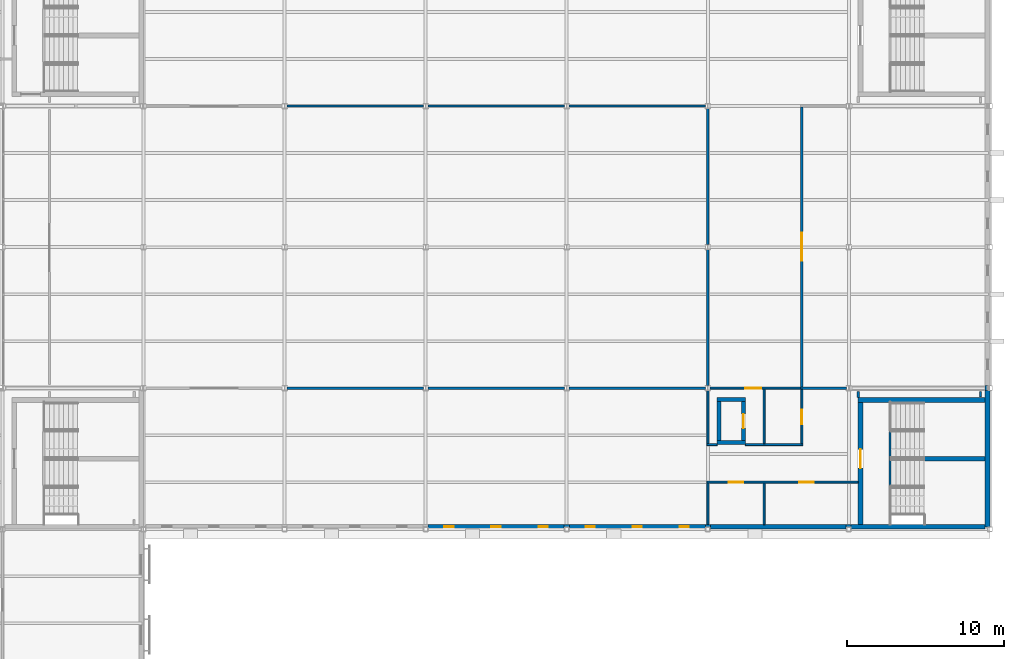
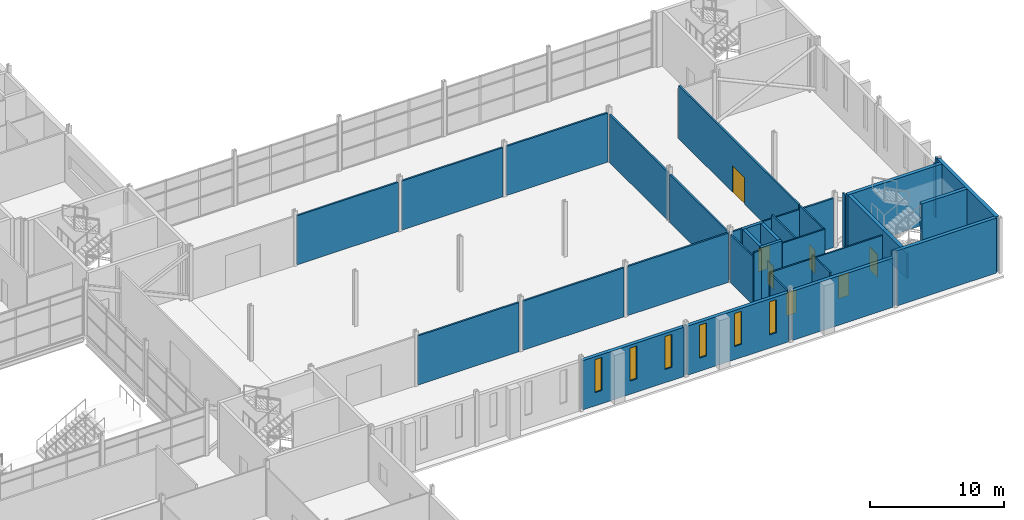
# One storey, part 88 of 112: 38 walls, 7 doors, 6 windows, 13 openings.
"""IFC4 building model written with IfcOpenShell, lengths in metres."""

from ifc_helpers import new_model, si_unit, direction, frame, frame_2d, origin, place, context, subcontext, project, spatial, rectangle, extrude, material, layer, layer_set, type_object, element, fill, save


model = new_model("IFC4")

# Units and contexts
model_context = context("Model", 3, precision=1e-05, world=origin(), true_north=direction((0.0, 1.0)))
body_context = subcontext(model_context, "Body", "Model", "MODEL_VIEW")
ifc_project = project(units=[si_unit("LENGTHUNIT", "METRE"), si_unit("AREAUNIT", "SQUARE_METRE"), si_unit("VOLUMEUNIT", "CUBIC_METRE"), si_unit("PLANEANGLEUNIT", "RADIAN"), si_unit("MASSUNIT", "GRAM", prefix="KILO")], contexts=[model_context])

# Site, building, storey
site_placement = place(None, origin())
site = spatial("IfcSite", under=ifc_project, at=site_placement, CompositionType="ELEMENT")
building_placement = place(site_placement, origin())
building = spatial("IfcBuilding", under=site, at=building_placement, Name="Shorebreak Coast Museum", CompositionType="ELEMENT")
storey_placement = place(building_placement, frame((0.0, 0.0, 6.0)))
storey = spatial("IfcBuildingStorey", under=building, at=storey_placement, Name="L01", CompositionType="ELEMENT", Elevation=6.0)

# Walls
ifc_material_1 = material(Name="Concrete N50 (50 MPa)", Category="concrete")
ifc_layer_1 = layer(ifc_material_1, 0.14990234375)
ifc_layer_set_1 = layer_set([ifc_layer_1], Name="Concrete N50 (50 MPa)")
wall_type_1 = type_object("IfcWallType", Name="Column closure panel 150", PredefinedType="SOLIDWALL", material=ifc_layer_set_1)
for number, where, z_axis, x_axis, name in (
    (1, (143.839111328125, 54.22509765625, 0.0), (0.0, 0.0, 1.0), (1.0, 0.0, 0.0), "Column closure panel L01 S 17G"),
    (2, (152.839111328125, 54.22509765625, 0.0), (0.0, 0.0, 1.0), (1.0, 0.0, 0.0), "Column closure panel L01 S 18G"),
):
    element("IfcWall", number, at=place(storey_placement, frame(where, z_axis=z_axis, x_axis=x_axis)), inside=storey, type_object=wall_type_1, Name=name, PredefinedType="SOLIDWALL", context=body_context, shape_type="SweptSolid", body=[
        extrude(rectangle(XDim=0.32177734375, YDim=0.14990234375, at=frame_2d((0.160888671875, 0.0))), origin(), (0.0, 0.0, 1.0), 4.469482421875),
    ])
for number, where, z_axis, x_axis, name in (
    (3, (161.827880859375, 54.22509765625, 0.0), (0.0, 0.0, 1.0), (1.0, 0.0, 0.0), "Column closure panel L01 S 19G"),
    (4, (170.77490234375, 62.85009765625, 0.0), (0.0, 0.0, 1.0), (0.0, 1.0, 0.0), "Column closure panel L01 E 20H"),
):
    element("IfcWall", number, at=place(storey_placement, frame(where, z_axis=z_axis, x_axis=x_axis)), inside=storey, type_object=wall_type_1, Name=name, PredefinedType="SOLIDWALL", context=body_context, shape_type="SweptSolid", body=[
        extrude(rectangle(XDim=0.322021484375, YDim=0.14990234375, at=frame_2d((0.1611328125, 0.0))), origin(), (0.0, 0.0, 1.0), 5.0),
    ])
ifc_material_2 = material(Name="Plasterboard on steel stud", Category="steel")
ifc_layer_2 = layer(ifc_material_2, 0.14990234375)
ifc_layer_set_2 = layer_set([ifc_layer_2], Name="Plasterboard on steel stud")
wall_type_2 = type_object("IfcWallType", Name="Fire partition 150", PredefinedType="PARTITIONING", material=ifc_layer_set_2)
for number, where, z_axis, x_axis, name in (
    (5, (126.154541015625, 63.0, 0.0), (0.0, 0.0, 1.0), (1.0, 0.0, 0.0), "Partition L01-045"),
    (6, (135.154541015625, 63.0, 0.0), (0.0, 0.0, 1.0), (1.0, 0.0, 0.0), "Partition L01-046"),
    (7, (144.154541015625, 63.0, 0.0), (0.0, 0.0, 1.0), (1.0, 0.0, 0.0), "Partition L01-047"),
):
    element("IfcWall", number, at=place(storey_placement, frame(where, z_axis=z_axis, x_axis=x_axis)), inside=storey, type_object=wall_type_2, Name=name, PredefinedType="PARTITIONING", context=body_context, shape_type="SweptSolid", body=[
        extrude(rectangle(XDim=8.69091796875, YDim=0.14990234375, at=frame_2d((4.345458984375, 0.0))), origin(), (0.0, 0.0, 1.0), 4.469482421875),
    ])
wall_1_placement = place(storey_placement, frame((158.925048828125, 63.0, 0.0), z_axis=(0.0, 0.0, 1.0), x_axis=(1.0, 0.0, 0.0)))
element("IfcWall", 8, at=wall_1_placement, inside=storey, type_object=wall_type_2, Name="Partition L01-049", PredefinedType="PARTITIONING", context=body_context, shape_type="SweptSolid", body=[
    extrude(rectangle(XDim=2.92041015625, YDim=0.14990234375, at=frame_2d((1.460205078125, 0.0))), origin(), (0.0, 0.0, 1.0), 4.469482421875),
])
for number, where, z_axis, x_axis, name in (
    (9, (126.154541015625, 81.0, 0.0), (0.0, 0.0, 1.0), (1.0, 0.0, 0.0), "Partition L01-053"),
    (10, (135.154541015625, 81.0, 0.0), (0.0, 0.0, 1.0), (1.0, 0.0, 0.0), "Partition L01-054"),
    (11, (144.154541015625, 81.0, 0.0), (0.0, 0.0, 1.0), (1.0, 0.0, 0.0), "Partition L01-055"),
):
    element("IfcWall", number, at=place(storey_placement, frame(where, z_axis=z_axis, x_axis=x_axis)), inside=storey, type_object=wall_type_2, Name=name, PredefinedType="PARTITIONING", context=body_context, shape_type="SweptSolid", body=[
        extrude(rectangle(XDim=8.69091796875, YDim=0.14990234375, at=frame_2d((4.345458984375, 0.0))), origin(), (0.0, 0.0, 1.0), 4.469482421875),
    ])
for number, where, z_axis, x_axis, name in (
    (12, (153.0, 63.160400390625, 0.0), (0.0, 0.0, 1.0), (0.0, 1.0, 0.0), "Partition L01-176"),
    (13, (153.0, 72.160400390625, 0.0), (0.0, 0.0, 1.0), (0.0, 1.0, 0.0), "Partition L01-177"),
):
    element("IfcWall", number, at=place(storey_placement, frame(where, z_axis=z_axis, x_axis=x_axis)), inside=storey, type_object=wall_type_2, Name=name, PredefinedType="PARTITIONING", context=body_context, shape_type="SweptSolid", body=[
        extrude(rectangle(XDim=8.67919921875, YDim=0.14990234375, at=frame_2d((4.339599609375, 0.0))), origin(), (0.0, 0.0, 1.0), 4.364501953125),
    ])

# Wall, opening, door
wall_2_placement = place(storey_placement, frame((159.0, 63.074951171875, 0.0), z_axis=(0.0, 0.0, 1.0), x_axis=(0.0, 1.0, 0.0)))
wall_2 = element("IfcWall", 14, at=wall_2_placement, inside=storey, type_object=wall_type_2, Name="Partition L01-181", PredefinedType="PARTITIONING", context=body_context, shape_type="SweptSolid", body=[
    extrude(rectangle(XDim=17.85009765625, YDim=0.14990234375, at=frame_2d((8.925048828125, 0.0))), origin(), (0.0, 0.0, 1.0), 4.824951171875),
])
opening_1_placement = place(wall_2_placement, frame((8.050048828125, 0.0, 0.0)))
opening_1 = element("IfcOpeningElement", 15, at=opening_1_placement, cuts=wall_2, Name="Opening D1058", PredefinedType="OPENING", context=body_context, shape_type="SweptSolid", body=[
    extrude(rectangle(XDim=1.800048828125, YDim=2.39990234375, at=frame_2d((0.89990234375, 1.199951171875))), frame((0.0, 0.0849609375, 0.0), z_axis=(0.0, -1.0, 0.0), x_axis=(1.0, 0.0, 0.0)), (0.0, 0.0, 1.0), 0.169921875),
])
ifc_material_3 = material(Name="Steel", Category="steel")
door_type_1 = type_object("IfcDoorType", Name="Fire door 1800x2400 60", OperationType="DOUBLE_DOOR_SINGLE_SWING", PredefinedType="DOOR", material=ifc_material_3)
door_1_placement = place(opening_1_placement, origin())
door_1 = element("IfcDoor", 16, at=door_1_placement, inside=storey, type_object=door_type_1, Name="Door D1058 Media Gallery", OperationType="DOUBLE_DOOR_SINGLE_SWING", OverallHeight=2.39990234375, OverallWidth=1.800048828125, PredefinedType="DOOR", context=body_context, shape_type="SweptSolid", body=[
    extrude(rectangle(XDim=1.800048828125, YDim=2.39990234375, at=frame_2d((0.89990234375, 1.199951171875))), frame((0.0, 0.02490234375, 0.0), z_axis=(0.0, -1.0, 0.0), x_axis=(1.0, 0.0, 0.0)), (0.0, 0.0, 1.0), 0.050048828125),
])
fill(opening_1, door_1)

# Walls
wall_3_placement = place(storey_placement, frame((162.60009765625, 62.39990234375, 0.0), z_axis=(0.0, 0.0, 1.0), x_axis=(0.0, 1.0, 0.0)))
element("IfcWall", 17, at=wall_3_placement, inside=storey, type_object=wall_type_2, Name="Partition L01-182", PredefinedType="PARTITIONING", context=body_context, shape_type="SweptSolid", body=[
    extrude(rectangle(XDim=0.380126953125, YDim=0.14990234375, at=frame_2d((0.18994140625, 0.0))), origin(), (0.0, 0.0, 1.0), 4.824951171875),
])
ifc_material_4 = material(Name="Plasterboard on steel stud", Category="steel")
ifc_layer_3 = layer(ifc_material_4, 0.10009765625)
ifc_layer_set_3 = layer_set([ifc_layer_3], Name="Plasterboard on steel stud")
wall_type_3 = type_object("IfcWallType", Name="Partition 100", PredefinedType="PARTITIONING", material=ifc_layer_set_3)
wall_4_placement = place(storey_placement, frame((170.39990234375, 62.449951171875, 0.0), z_axis=(0.0, 0.0, 1.0), x_axis=(0.0, 1.0, 0.0)))
element("IfcWall", 18, at=wall_4_placement, inside=storey, type_object=wall_type_3, Name="Partition L01-184", PredefinedType="PARTITIONING", context=body_context, shape_type="SweptSolid", body=[
    extrude(rectangle(XDim=0.330078125, YDim=0.10009765625, at=frame_2d((0.1650390625, 0.0))), origin(), (0.0, 0.0, 1.0), 4.824951171875),
])

# Wall, openings, doors
ifc_material_5 = material(Name="Plasterboard on steel stud", Category="steel")
ifc_layer_4 = layer(ifc_material_5, 0.125)
ifc_layer_set_4 = layer_set([ifc_layer_4], Name="Plasterboard on steel stud")
wall_type_4 = type_object("IfcWallType", Name="Partition 125", PredefinedType="PARTITIONING", material=ifc_layer_set_4)
wall_5_placement = place(storey_placement, frame((152.9375, 57.0, 0.0), z_axis=(0.0, 0.0, 1.0), x_axis=(1.0, 0.0, 0.0)))
wall_5 = element("IfcWall", 19, at=wall_5_placement, inside=storey, type_object=wall_type_4, Name="Partition L01-036", PredefinedType="PARTITIONING", context=body_context, shape_type="SweptSolid", body=[
    extrude(rectangle(XDim=9.66259765625, YDim=0.125, at=frame_2d((4.831298828125, 0.0))), origin(), (0.0, 0.0, 1.0), 4.469482421875),
])
opening_2_placement = place(wall_5_placement, frame((1.41259765625, 0.0, 0.0)))
opening_2 = element("IfcOpeningElement", 20, at=opening_2_placement, cuts=wall_5, Name="Opening D1055", PredefinedType="OPENING", context=body_context, shape_type="SweptSolid", body=[
    extrude(rectangle(XDim=0.89990234375, YDim=2.10009765625, at=frame_2d((0.449951171875, 1.050048828125))), frame((0.0, 0.072509765625, 0.0), z_axis=(0.0, -1.0, 0.0), x_axis=(1.0, 0.0, 0.0)), (0.0, 0.0, 1.0), 0.14501953125),
])
opening_3_placement = place(wall_5_placement, frame((5.91259765625, 0.0, 0.0)))
opening_3 = element("IfcOpeningElement", 21, at=opening_3_placement, cuts=wall_5, Name="Opening D1056", PredefinedType="OPENING", context=body_context, shape_type="SweptSolid", body=[
    extrude(rectangle(XDim=0.89990234375, YDim=2.10009765625, at=frame_2d((0.449951171875, 1.050048828125))), frame((0.0, 0.072509765625, 0.0), z_axis=(0.0, -1.0, 0.0), x_axis=(1.0, 0.0, 0.0)), (0.0, 0.0, 1.0), 0.14501953125),
])
ifc_material_6 = material(Name="Timber", Category="wood")
door_type_2 = type_object("IfcDoorType", Name="Interior door 900x2100", OperationType="SINGLE_SWING_LEFT", PredefinedType="DOOR", material=ifc_material_6)
door_2_placement = place(opening_2_placement, origin())
door_2 = element("IfcDoor", 22, at=door_2_placement, inside=storey, type_object=door_type_2, Name="Door D1055 Accessible WC E", OperationType="SINGLE_SWING_LEFT", OverallHeight=2.10009765625, OverallWidth=0.89990234375, PredefinedType="DOOR", context=body_context, shape_type="SweptSolid", body=[
    extrude(rectangle(XDim=0.89990234375, YDim=2.10009765625, at=frame_2d((0.449951171875, 1.050048828125))), frame((0.0, 0.02490234375, 0.0), z_axis=(0.0, -1.0, 0.0), x_axis=(1.0, 0.0, 0.0)), (0.0, 0.0, 1.0), 0.050048828125),
])
fill(opening_2, door_2)
door_3_placement = place(opening_3_placement, origin())
door_3 = element("IfcDoor", 23, at=door_3_placement, inside=storey, type_object=door_type_2, Name="Door D1056 Male WC E", OperationType="SINGLE_SWING_LEFT", OverallHeight=2.10009765625, OverallWidth=0.89990234375, PredefinedType="DOOR", context=body_context, shape_type="SweptSolid", body=[
    extrude(rectangle(XDim=0.89990234375, YDim=2.10009765625, at=frame_2d((0.449951171875, 1.050048828125))), frame((0.0, 0.02490234375, 0.0), z_axis=(0.0, -1.0, 0.0), x_axis=(1.0, 0.0, 0.0)), (0.0, 0.0, 1.0), 0.050048828125),
])
fill(opening_3, door_3)

# Walls
wall_6_placement = place(storey_placement, frame((152.9375, 59.39990234375, 0.0), z_axis=(0.0, 0.0, 1.0), x_axis=(1.0, 0.0, 0.0)))
element("IfcWall", 24, at=wall_6_placement, inside=storey, type_object=wall_type_4, Name="Partition L01-039", PredefinedType="PARTITIONING", context=body_context, shape_type="SweptSolid", body=[
    extrude(rectangle(XDim=0.66259765625, YDim=0.125, at=frame_2d((0.331298828125, 0.0))), origin(), (0.0, 0.0, 1.0), 4.824951171875),
])
wall_7_placement = place(storey_placement, frame((155.39990234375, 59.39990234375, 0.0), z_axis=(0.0, 0.0, 1.0), x_axis=(1.0, 0.0, 0.0)))
element("IfcWall", 25, at=wall_7_placement, inside=storey, type_object=wall_type_4, Name="Partition L01-040", PredefinedType="PARTITIONING", context=body_context, shape_type="SweptSolid", body=[
    extrude(rectangle(XDim=3.66259765625, YDim=0.125, at=frame_2d((1.831298828125, 0.0))), origin(), (0.0, 0.0, 1.0), 4.824951171875),
])

# Wall, opening, door
wall_8_placement = place(storey_placement, frame((153.154541015625, 63.0, 0.0), z_axis=(0.0, 0.0, 1.0), x_axis=(1.0, 0.0, 0.0)))
wall_8 = element("IfcWall", 26, at=wall_8_placement, inside=storey, type_object=wall_type_4, Name="Partition L01-048", PredefinedType="PARTITIONING", context=body_context, shape_type="SweptSolid", body=[
    extrude(rectangle(XDim=5.92041015625, YDim=0.125, at=frame_2d((2.960205078125, 0.0))), origin(), (0.0, 0.0, 1.0), 4.469482421875),
])
opening_4_placement = place(wall_8_placement, frame((2.25, 0.0, 0.0)))
opening_4 = element("IfcOpeningElement", 27, at=opening_4_placement, cuts=wall_8, Name="Opening D1053", PredefinedType="OPENING", context=body_context, shape_type="SweptSolid", body=[
    extrude(rectangle(XDim=1.0, YDim=2.10009765625, at=frame_2d((0.5, 1.050048828125))), frame((0.0, 0.072509765625, 0.0), z_axis=(0.0, -1.0, 0.0), x_axis=(1.0, 0.0, 0.0)), (0.0, 0.0, 1.0), 0.14501953125),
])
ifc_material_7 = material(Name="Timber", Category="wood")
door_type_3 = type_object("IfcDoorType", Name="Interior door 1000x2100", OperationType="SINGLE_SWING_LEFT", PredefinedType="DOOR", material=ifc_material_7)
door_4_placement = place(opening_4_placement, origin())
door_4 = element("IfcDoor", 28, at=door_4_placement, inside=storey, type_object=door_type_3, Name="Door D1053 Cleaner Store E", OperationType="SINGLE_SWING_RIGHT", OverallHeight=2.10009765625, OverallWidth=1.0, PredefinedType="DOOR", context=body_context, shape_type="SweptSolid", body=[
    extrude(rectangle(XDim=1.0, YDim=2.10009765625, at=frame_2d((0.5, 1.050048828125))), frame((0.0, 0.02490234375, 0.0), z_axis=(0.0, -1.0, 0.0), x_axis=(1.0, 0.0, 0.0)), (0.0, 0.0, 1.0), 0.050048828125),
])
fill(opening_4, door_4)

# Walls
wall_9_placement = place(storey_placement, frame((153.0, 54.300048828125, 0.0), z_axis=(0.0, 0.0, 1.0), x_axis=(0.0, 1.0, 0.0)))
element("IfcWall", 29, at=wall_9_placement, inside=storey, type_object=wall_type_4, Name="Partition L01-174", PredefinedType="PARTITIONING", context=body_context, shape_type="SweptSolid", body=[
    extrude(rectangle(XDim=2.637451171875, YDim=0.125, at=frame_2d((1.31884765625, 0.0))), origin(), (0.0, 0.0, 1.0), 4.364501953125),
])
wall_10_placement = place(storey_placement, frame((153.0, 59.46240234375, 0.0), z_axis=(0.0, 0.0, 1.0), x_axis=(0.0, 1.0, 0.0)))
element("IfcWall", 30, at=wall_10_placement, inside=storey, type_object=wall_type_4, Name="Partition L01-175", PredefinedType="PARTITIONING", context=body_context, shape_type="SweptSolid", body=[
    extrude(rectangle(XDim=3.377197265625, YDim=0.125, at=frame_2d((1.6884765625, 0.0))), origin(), (0.0, 0.0, 1.0), 4.364501953125),
])
wall_11_placement = place(storey_placement, frame((156.60009765625, 54.300048828125, 0.0), z_axis=(0.0, 0.0, 1.0), x_axis=(0.0, 1.0, 0.0)))
element("IfcWall", 31, at=wall_11_placement, inside=storey, type_object=wall_type_4, Name="Partition L01-178", PredefinedType="PARTITIONING", context=body_context, shape_type="SweptSolid", body=[
    extrude(rectangle(XDim=2.637451171875, YDim=0.125, at=frame_2d((1.31884765625, 0.0))), origin(), (0.0, 0.0, 1.0), 4.824951171875),
])
wall_12_placement = place(storey_placement, frame((156.60009765625, 59.46240234375, 0.0), z_axis=(0.0, 0.0, 1.0), x_axis=(0.0, 1.0, 0.0)))
element("IfcWall", 32, at=wall_12_placement, inside=storey, type_object=wall_type_4, Name="Partition L01-179", PredefinedType="PARTITIONING", context=body_context, shape_type="SweptSolid", body=[
    extrude(rectangle(XDim=3.47509765625, YDim=0.125, at=frame_2d((1.737548828125, 0.0))), origin(), (0.0, 0.0, 1.0), 4.824951171875),
])

# Wall, opening, door
wall_13_placement = place(storey_placement, frame((159.0, 59.46240234375, 0.0), z_axis=(0.0, 0.0, 1.0), x_axis=(0.0, 1.0, 0.0)))
wall_13 = element("IfcWall", 33, at=wall_13_placement, inside=storey, type_object=wall_type_4, Name="Partition L01-180", PredefinedType="PARTITIONING", context=body_context, shape_type="SweptSolid", body=[
    extrude(rectangle(XDim=3.462646484375, YDim=0.125, at=frame_2d((1.7314453125, 0.0))), origin(), (0.0, 0.0, 1.0), 4.824951171875),
])
opening_5_placement = place(wall_13_placement, frame((1.25, 0.0, 0.0)))
opening_5 = element("IfcOpeningElement", 34, at=opening_5_placement, cuts=wall_13, Name="Opening D1054", PredefinedType="OPENING", context=body_context, shape_type="SweptSolid", body=[
    extrude(rectangle(XDim=0.89990234375, YDim=2.10009765625, at=frame_2d((0.449951171875, 1.050048828125))), frame((0.0, 0.072509765625, 0.0), z_axis=(0.0, -1.0, 0.0), x_axis=(1.0, 0.0, 0.0)), (0.0, 0.0, 1.0), 0.14501953125),
])
door_5_placement = place(opening_5_placement, origin())
door_5 = element("IfcDoor", 35, at=door_5_placement, inside=storey, type_object=door_type_2, Name="Door D1054 Female WC E", OperationType="SINGLE_SWING_RIGHT", OverallHeight=2.10009765625, OverallWidth=0.89990234375, PredefinedType="DOOR", context=body_context, shape_type="SweptSolid", body=[
    extrude(rectangle(XDim=0.89990234375, YDim=2.10009765625, at=frame_2d((0.449951171875, 1.050048828125))), frame((0.0, 0.02490234375, 0.0), z_axis=(0.0, -1.0, 0.0), x_axis=(1.0, 0.0, 0.0)), (0.0, 0.0, 1.0), 0.050048828125),
])
fill(opening_5, door_5)

# Wall, openings, windows
ifc_material_8 = material(Name="Concrete N50 (50 MPa)", Category="concrete")
ifc_layer_5 = layer(ifc_material_8, 0.300048828125)
ifc_layer_set_5 = layer_set([ifc_layer_5], Name="Concrete N50 (50 MPa)")
wall_type_5 = type_object("IfcWallType", Name="Precast board-marked panel 300", PredefinedType="SOLIDWALL", material=ifc_layer_set_5)
wall_14_placement = place(storey_placement, frame((135.160888671875, 54.14990234375, 0.0), z_axis=(0.0, 0.0, 1.0), x_axis=(1.0, 0.0, 0.0)))
wall_14 = element("IfcWall", 36, at=wall_14_placement, inside=storey, type_object=wall_type_5, Name="External wall L01 S 16G", PredefinedType="SOLIDWALL", context=body_context, shape_type="SweptSolid", body=[
    extrude(rectangle(XDim=8.67822265625, YDim=0.300048828125, at=frame_2d((4.339111328125, 0.0))), origin(), (0.0, 0.0, 1.0), 4.469482421875),
])
opening_6_placement = place(wall_14_placement, frame((1.0390625, 0.0, 1.199951171875)))
opening_6 = element("IfcOpeningElement", 37, at=opening_6_placement, cuts=wall_14, Name="Opening WN1039", PredefinedType="OPENING", context=body_context, shape_type="SweptSolid", body=[
    extrude(rectangle(XDim=0.60009765625, YDim=3.0, at=frame_2d((0.300048828125, 1.5))), frame((0.0, 0.159912109375, 0.0), z_axis=(0.0, -1.0, 0.0), x_axis=(1.0, 0.0, 0.0)), (0.0, 0.0, 1.0), 0.320068359375),
])
opening_7_placement = place(wall_14_placement, frame((4.0390625, 0.0, 1.199951171875)))
opening_7 = element("IfcOpeningElement", 38, at=opening_7_placement, cuts=wall_14, Name="Opening WN1040", PredefinedType="OPENING", context=body_context, shape_type="SweptSolid", body=[
    extrude(rectangle(XDim=0.60009765625, YDim=3.0, at=frame_2d((0.300048828125, 1.5))), frame((0.0, 0.159912109375, 0.0), z_axis=(0.0, -1.0, 0.0), x_axis=(1.0, 0.0, 0.0)), (0.0, 0.0, 1.0), 0.320068359375),
])
opening_8_placement = place(wall_14_placement, frame((7.0390625, 0.0, 1.199951171875)))
opening_8 = element("IfcOpeningElement", 39, at=opening_8_placement, cuts=wall_14, Name="Opening WN1041", PredefinedType="OPENING", context=body_context, shape_type="SweptSolid", body=[
    extrude(rectangle(XDim=0.60009765625, YDim=3.0, at=frame_2d((0.300048828125, 1.5))), frame((0.0, 0.159912109375, 0.0), z_axis=(0.0, -1.0, 0.0), x_axis=(1.0, 0.0, 0.0)), (0.0, 0.0, 1.0), 0.320068359375),
])
ifc_material_9 = material(Name="Aluminium", Category="aluminium")
window_type = type_object("IfcWindowType", Name="Hall slot window 600 x 3000", PartitioningType="SINGLE_PANEL", PredefinedType="WINDOW", material=ifc_material_9)
window_1_placement = place(opening_6_placement, origin())
window_1 = element("IfcWindow", 40, at=window_1_placement, inside=storey, type_object=window_type, Name="Window WN1039", OverallHeight=3.0, OverallWidth=0.60009765625, PartitioningType="SINGLE_PANEL", PredefinedType="WINDOW", context=body_context, shape_type="SweptSolid", body=[
    extrude(rectangle(XDim=0.60009765625, YDim=3.0, at=frame_2d((0.300048828125, 1.5))), frame((0.0, 0.030029296875, 0.0), z_axis=(0.0, -1.0, 0.0), x_axis=(1.0, 0.0, 0.0)), (0.0, 0.0, 1.0), 0.06005859375),
])
fill(opening_6, window_1)
window_2_placement = place(opening_7_placement, origin())
window_2 = element("IfcWindow", 41, at=window_2_placement, inside=storey, type_object=window_type, Name="Window WN1040", OverallHeight=3.0, OverallWidth=0.60009765625, PartitioningType="SINGLE_PANEL", PredefinedType="WINDOW", context=body_context, shape_type="SweptSolid", body=[
    extrude(rectangle(XDim=0.60009765625, YDim=3.0, at=frame_2d((0.300048828125, 1.5))), frame((0.0, 0.030029296875, 0.0), z_axis=(0.0, -1.0, 0.0), x_axis=(1.0, 0.0, 0.0)), (0.0, 0.0, 1.0), 0.06005859375),
])
fill(opening_7, window_2)
window_3_placement = place(opening_8_placement, origin())
window_3 = element("IfcWindow", 42, at=window_3_placement, inside=storey, type_object=window_type, Name="Window WN1041", OverallHeight=3.0, OverallWidth=0.60009765625, PartitioningType="SINGLE_PANEL", PredefinedType="WINDOW", context=body_context, shape_type="SweptSolid", body=[
    extrude(rectangle(XDim=0.60009765625, YDim=3.0, at=frame_2d((0.300048828125, 1.5))), frame((0.0, 0.030029296875, 0.0), z_axis=(0.0, -1.0, 0.0), x_axis=(1.0, 0.0, 0.0)), (0.0, 0.0, 1.0), 0.06005859375),
])
fill(opening_8, window_3)

wall_15_placement = place(storey_placement, frame((144.160888671875, 54.14990234375, 0.0), z_axis=(0.0, 0.0, 1.0), x_axis=(1.0, 0.0, 0.0)))
wall_15 = element("IfcWall", 43, at=wall_15_placement, inside=storey, type_object=wall_type_5, Name="External wall L01 S 17G", PredefinedType="SOLIDWALL", context=body_context, shape_type="SweptSolid", body=[
    extrude(rectangle(XDim=8.67822265625, YDim=0.300048828125, at=frame_2d((4.339111328125, 0.0))), origin(), (0.0, 0.0, 1.0), 4.469482421875),
])
opening_9_placement = place(wall_15_placement, frame((1.0390625, 0.0, 1.199951171875)))
opening_9 = element("IfcOpeningElement", 44, at=opening_9_placement, cuts=wall_15, Name="Opening WN1042", PredefinedType="OPENING", context=body_context, shape_type="SweptSolid", body=[
    extrude(rectangle(XDim=0.60009765625, YDim=3.0, at=frame_2d((0.300048828125, 1.5))), frame((0.0, 0.159912109375, 0.0), z_axis=(0.0, -1.0, 0.0), x_axis=(1.0, 0.0, 0.0)), (0.0, 0.0, 1.0), 0.320068359375),
])
opening_10_placement = place(wall_15_placement, frame((4.0390625, 0.0, 1.199951171875)))
opening_10 = element("IfcOpeningElement", 45, at=opening_10_placement, cuts=wall_15, Name="Opening WN1043", PredefinedType="OPENING", context=body_context, shape_type="SweptSolid", body=[
    extrude(rectangle(XDim=0.60009765625, YDim=3.0, at=frame_2d((0.300048828125, 1.5))), frame((0.0, 0.159912109375, 0.0), z_axis=(0.0, -1.0, 0.0), x_axis=(1.0, 0.0, 0.0)), (0.0, 0.0, 1.0), 0.320068359375),
])
opening_11_placement = place(wall_15_placement, frame((7.0390625, 0.0, 1.199951171875)))
opening_11 = element("IfcOpeningElement", 46, at=opening_11_placement, cuts=wall_15, Name="Opening WN1044", PredefinedType="OPENING", context=body_context, shape_type="SweptSolid", body=[
    extrude(rectangle(XDim=0.60009765625, YDim=3.0, at=frame_2d((0.300048828125, 1.5))), frame((0.0, 0.159912109375, 0.0), z_axis=(0.0, -1.0, 0.0), x_axis=(1.0, 0.0, 0.0)), (0.0, 0.0, 1.0), 0.320068359375),
])
window_4_placement = place(opening_9_placement, origin())
window_4 = element("IfcWindow", 47, at=window_4_placement, inside=storey, type_object=window_type, Name="Window WN1042", OverallHeight=3.0, OverallWidth=0.60009765625, PartitioningType="SINGLE_PANEL", PredefinedType="WINDOW", context=body_context, shape_type="SweptSolid", body=[
    extrude(rectangle(XDim=0.60009765625, YDim=3.0, at=frame_2d((0.300048828125, 1.5))), frame((0.0, 0.030029296875, 0.0), z_axis=(0.0, -1.0, 0.0), x_axis=(1.0, 0.0, 0.0)), (0.0, 0.0, 1.0), 0.06005859375),
])
fill(opening_9, window_4)
window_5_placement = place(opening_10_placement, origin())
window_5 = element("IfcWindow", 48, at=window_5_placement, inside=storey, type_object=window_type, Name="Window WN1043", OverallHeight=3.0, OverallWidth=0.60009765625, PartitioningType="SINGLE_PANEL", PredefinedType="WINDOW", context=body_context, shape_type="SweptSolid", body=[
    extrude(rectangle(XDim=0.60009765625, YDim=3.0, at=frame_2d((0.300048828125, 1.5))), frame((0.0, 0.030029296875, 0.0), z_axis=(0.0, -1.0, 0.0), x_axis=(1.0, 0.0, 0.0)), (0.0, 0.0, 1.0), 0.06005859375),
])
fill(opening_10, window_5)
window_6_placement = place(opening_11_placement, origin())
window_6 = element("IfcWindow", 49, at=window_6_placement, inside=storey, type_object=window_type, Name="Window WN1044", OverallHeight=3.0, OverallWidth=0.60009765625, PartitioningType="SINGLE_PANEL", PredefinedType="WINDOW", context=body_context, shape_type="SweptSolid", body=[
    extrude(rectangle(XDim=0.60009765625, YDim=3.0, at=frame_2d((0.300048828125, 1.5))), frame((0.0, 0.030029296875, 0.0), z_axis=(0.0, -1.0, 0.0), x_axis=(1.0, 0.0, 0.0)), (0.0, 0.0, 1.0), 0.06005859375),
])
fill(opening_11, window_6)

# Walls
wall_16_placement = place(storey_placement, frame((153.160888671875, 54.14990234375, 0.0), z_axis=(0.0, 0.0, 1.0), x_axis=(1.0, 0.0, 0.0)))
element("IfcWall", 50, at=wall_16_placement, inside=storey, type_object=wall_type_5, Name="External wall L01 S 18G", PredefinedType="SOLIDWALL", context=body_context, shape_type="SweptSolid", body=[
    extrude(rectangle(XDim=8.6669921875, YDim=0.300048828125, at=frame_2d((4.33349609375, 0.0))), origin(), (0.0, 0.0, 1.0), 4.469482421875),
])
ifc_material_10 = material(Name="Concrete N50 (50 MPa)", Category="concrete")
ifc_layer_6 = layer(ifc_material_10, 0.25)
ifc_layer_set_6 = layer_set([ifc_layer_6], Name="Concrete N50 (50 MPa)")
wall_type_6 = type_object("IfcWallType", Name="RC riser wall 250", PredefinedType="STANDARD", material=ifc_layer_set_6)
for number, where, z_axis, x_axis, name in (
    (51, (153.60009765625, 59.52490234375, 0.0), (0.0, 0.0, 1.0), (1.0, 0.0, 0.0), "Riser wall R-WC-E L01 S"),
    (52, (153.60009765625, 62.27490234375, 0.0), (0.0, 0.0, 1.0), (1.0, 0.0, 0.0), "Riser wall R-WC-E L01 N"),
):
    element("IfcWall", number, at=place(storey_placement, frame(where, z_axis=z_axis, x_axis=x_axis)), inside=storey, type_object=wall_type_6, Name=name, PredefinedType="STANDARD", context=body_context, shape_type="SweptSolid", body=[
        extrude(rectangle(XDim=1.7998046875, YDim=0.25, at=frame_2d((0.89990234375, 0.0))), origin(), (0.0, 0.0, 1.0), 5.0),
    ])
wall_17_placement = place(storey_placement, frame((153.72509765625, 59.64990234375, 0.0), z_axis=(0.0, 0.0, 1.0), x_axis=(0.0, 1.0, 0.0)))
element("IfcWall", 53, at=wall_17_placement, inside=storey, type_object=wall_type_6, Name="Riser wall R-WC-E L01 W", PredefinedType="STANDARD", context=body_context, shape_type="SweptSolid", body=[
    extrude(rectangle(XDim=2.5, YDim=0.25, at=frame_2d((1.25, 0.0))), origin(), (0.0, 0.0, 1.0), 5.0),
])

# Wall, opening, door
wall_18_placement = place(storey_placement, frame((155.27490234375, 59.64990234375, 0.0), z_axis=(0.0, 0.0, 1.0), x_axis=(0.0, 1.0, 0.0)))
wall_18 = element("IfcWall", 54, at=wall_18_placement, inside=storey, type_object=wall_type_6, Name="Riser wall R-WC-E L01 E", PredefinedType="STANDARD", context=body_context, shape_type="SweptSolid", body=[
    extrude(rectangle(XDim=2.5, YDim=0.25, at=frame_2d((1.25, 0.0))), origin(), (0.0, 0.0, 1.0), 5.0),
])
opening_12_placement = place(wall_18_placement, frame((0.800048828125, 0.0, 0.0)))
opening_12 = element("IfcOpeningElement", 55, at=opening_12_placement, cuts=wall_18, Name="Opening D1604", PredefinedType="OPENING", context=body_context, shape_type="SweptSolid", body=[
    extrude(rectangle(XDim=0.89990234375, YDim=2.10009765625, at=frame_2d((0.449951171875, 1.050048828125))), frame((0.0, 0.135009765625, 0.0), z_axis=(0.0, -1.0, 0.0), x_axis=(1.0, 0.0, 0.0)), (0.0, 0.0, 1.0), 0.27001953125),
])
ifc_material_11 = material(Name="Steel Grade 300", Category="steel")
door_type_4 = type_object("IfcDoorType", Name="Riser door 900x2100", OperationType="SINGLE_SWING_LEFT", PredefinedType="DOOR", material=ifc_material_11)
door_6_placement = place(opening_12_placement, origin())
door_6 = element("IfcDoor", 56, at=door_6_placement, inside=storey, type_object=door_type_4, Name="Riser door R-WC-E L01", OperationType="SINGLE_SWING_LEFT", OverallHeight=2.10009765625, OverallWidth=0.89990234375, PredefinedType="DOOR", context=body_context, shape_type="SweptSolid", body=[
    extrude(rectangle(XDim=0.89990234375, YDim=2.10009765625, at=frame_2d((0.449951171875, 1.050048828125))), frame((0.0, 0.02490234375, 0.0), z_axis=(0.0, -1.0, 0.0), x_axis=(1.0, 0.0, 0.0)), (0.0, 0.0, 1.0), 0.050048828125),
])
fill(opening_12, door_6)

# Walls
ifc_material_12 = material(Name="Concrete N50 (50 MPa)", Category="concrete")
ifc_layer_7 = layer(ifc_material_12, 0.300048828125)
ifc_layer_set_7 = layer_set([ifc_layer_7], Name="Concrete N50 (50 MPa)")
wall_type_7 = type_object("IfcWallType", Name="RC wall 300", PredefinedType="SHEAR", material=ifc_layer_set_7)
wall_19_placement = place(storey_placement, frame((162.14990234375, 54.14990234375, 0.0), z_axis=(0.0, 0.0, 1.0), x_axis=(1.0, 0.0, 0.0)))
element("IfcWall", 57, at=wall_19_placement, inside=storey, type_object=wall_type_7, Name="Stair core wall ST07 L01 S", PredefinedType="SHEAR", context=body_context, shape_type="SweptSolid", body=[
    extrude(rectangle(XDim=8.550048828125, YDim=0.300048828125, at=frame_2d((4.27490234375, 0.0))), origin(), (0.0, 0.0, 1.0), 5.0),
])
wall_20_placement = place(storey_placement, frame((162.60009765625, 62.25, 0.0), z_axis=(0.0, 0.0, 1.0), x_axis=(1.0, 0.0, 0.0)))
element("IfcWall", 58, at=wall_20_placement, inside=storey, type_object=wall_type_7, Name="Stair core wall ST07 L01 N", PredefinedType="SHEAR", context=body_context, shape_type="SweptSolid", body=[
    extrude(rectangle(XDim=8.099853515625, YDim=0.300048828125, at=frame_2d((4.0498046875, 0.0))), origin(), (0.0, 0.0, 1.0), 5.0),
])

# Wall, opening, door
wall_21_placement = place(storey_placement, frame((162.75, 54.300048828125, 0.0), z_axis=(0.0, 0.0, 1.0), x_axis=(0.0, 1.0, 0.0)))
wall_21 = element("IfcWall", 59, at=wall_21_placement, inside=storey, type_object=wall_type_7, Name="Stair core wall ST07 L01 W", PredefinedType="SHEAR", context=body_context, shape_type="SweptSolid", body=[
    extrude(rectangle(XDim=7.800048828125, YDim=0.300048828125, at=frame_2d((3.89990234375, 0.0))), origin(), (0.0, 0.0, 1.0), 5.0),
])
opening_13_placement = place(wall_21_placement, frame((3.60009765625, 0.0, 0.0)))
opening_13 = element("IfcOpeningElement", 60, at=opening_13_placement, cuts=wall_21, Name="Opening D1807", PredefinedType="OPENING", context=body_context, shape_type="SweptSolid", body=[
    extrude(rectangle(XDim=1.199951171875, YDim=2.10009765625, at=frame_2d((0.60009765625, 1.050048828125))), frame((0.0, 0.159912109375, 0.0), z_axis=(0.0, -1.0, 0.0), x_axis=(1.0, 0.0, 0.0)), (0.0, 0.0, 1.0), 0.320068359375),
])
ifc_material_13 = material(Name="Steel Grade 300", Category="steel")
door_type_5 = type_object("IfcDoorType", Name="Fire door 1200x2100", OperationType="SINGLE_SWING_LEFT", PredefinedType="DOOR", material=ifc_material_13)
door_7_placement = place(opening_13_placement, origin())
door_7 = element("IfcDoor", 61, at=door_7_placement, inside=storey, type_object=door_type_5, Name="Stair door ST07 L01", OperationType="SINGLE_SWING_RIGHT", OverallHeight=2.10009765625, OverallWidth=1.199951171875, PredefinedType="DOOR", context=body_context, shape_type="SweptSolid", body=[
    extrude(rectangle(XDim=1.199951171875, YDim=2.10009765625, at=frame_2d((0.60009765625, 1.050048828125))), frame((0.0, 0.02490234375, 0.0), z_axis=(0.0, -1.0, 0.0), x_axis=(1.0, 0.0, 0.0)), (0.0, 0.0, 1.0), 0.050048828125),
])
fill(opening_13, door_7)

# Walls
wall_22_placement = place(storey_placement, frame((170.85009765625, 54.14990234375, 0.0), z_axis=(0.0, 0.0, 1.0), x_axis=(0.0, 1.0, 0.0)))
element("IfcWall", 62, at=wall_22_placement, inside=storey, type_object=wall_type_7, Name="Stair core wall ST07 L01 E", PredefinedType="SHEAR", context=body_context, shape_type="SweptSolid", body=[
    extrude(rectangle(XDim=8.7001953125, YDim=0.300048828125, at=frame_2d((4.35009765625, 0.0))), origin(), (0.0, 0.0, 1.0), 5.0),
])
wall_23_placement = place(storey_placement, frame((166.800048828125, 58.5, 0.0), z_axis=(0.0, 0.0, 1.0), x_axis=(1.0, 0.0, 0.0)))
element("IfcWall", 63, at=wall_23_placement, inside=storey, type_object=wall_type_7, Name="Stair spine wall ST07 L01", PredefinedType="SHEAR", context=body_context, shape_type="SweptSolid", body=[
    extrude(rectangle(XDim=3.89990234375, YDim=0.300048828125, at=frame_2d((1.949951171875, 0.0))), origin(), (0.0, 0.0, 1.0), 5.0),
])
ifc_material_14 = material(Name="Concrete N50 (50 MPa)", Category="concrete")
ifc_layer_8 = layer(ifc_material_14, 0.14990234375)
ifc_layer_set_8 = layer_set([ifc_layer_8], Name="Concrete N50 (50 MPa)")
wall_type_8 = type_object("IfcWallType", Name="Understair wall 150", PredefinedType="STANDARD", material=ifc_layer_set_8)
wall_24_placement = place(storey_placement, frame((164.625, 56.699951171875, 0.0), z_axis=(0.0, 0.0, 1.0), x_axis=(0.0, 1.0, 0.0)))
element("IfcWall", 64, at=wall_24_placement, inside=storey, type_object=wall_type_8, Name="Understair wall ST07 L01 floor", PredefinedType="STANDARD", context=body_context, shape_type="SweptSolid", body=[
    extrude(rectangle(XDim=3.60009765625, YDim=0.14990234375, at=frame_2d((1.800048828125, 0.0))), origin(), (0.0, 0.0, 1.0), 2.300048828125),
])

save(model, "model.ifc")
